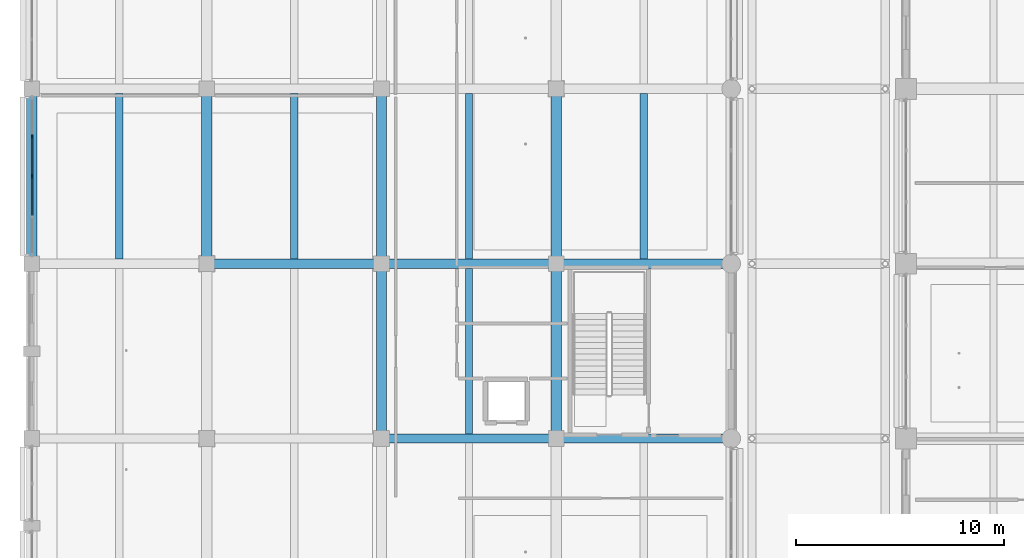
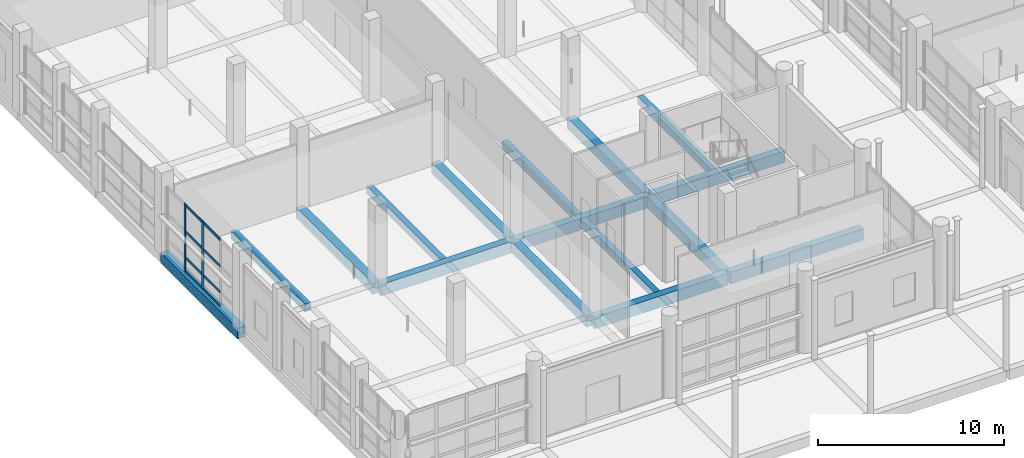
# One storey, part 19 of 140: 16 beams, 10 members, 1 element without a shape of its own.
"""IFC4 building model written with IfcOpenShell, lengths in metres."""

from ifc_helpers import new_model, si_unit, direction, frame, origin, origin_2d, place, context, subcontext, project, spatial, rectangle, extrude, material, layer, layer_set, material_profile, profile_set, type_object, element, aggregate, save


model = new_model("IFC4")

# Units and contexts
model_context = context("Model", 3, precision=1e-05, world=origin(), true_north=direction((0.0, 1.0)))
body_context = subcontext(model_context, "Body", "Model", "MODEL_VIEW")
ifc_project = project(units=[si_unit("LENGTHUNIT", "METRE"), si_unit("AREAUNIT", "SQUARE_METRE"), si_unit("VOLUMEUNIT", "CUBIC_METRE"), si_unit("PLANEANGLEUNIT", "RADIAN"), si_unit("MASSUNIT", "GRAM", prefix="KILO")], contexts=[model_context])

# Site, building, storey
site_placement = place(None, origin())
site = spatial("IfcSite", under=ifc_project, at=site_placement, CompositionType="ELEMENT")
building_placement = place(site_placement, origin())
building = spatial("IfcBuilding", under=site, at=building_placement, Name="Telukmera Botanical Conservatory", CompositionType="ELEMENT")
storey_placement = place(building_placement, origin())
storey = spatial("IfcBuildingStorey", under=building, at=storey_placement, Name="L00", CompositionType="ELEMENT", Elevation=0.0)

# Beams
ifc_material_1 = material(Name="Concrete C40/50", Category="concrete")
ifc_material_profile_1 = material_profile(ifc_material_1, rectangle(XDim=0.5, YDim=0.699951171875, at=origin_2d()), Name="RC 500x700")
ifc_profile_set_1 = profile_set([ifc_material_profile_1], Name="Concrete C40/50")
beam_type_1 = type_object("IfcBeamType", Name="Beam_B14", PredefinedType="BEAM", material=ifc_profile_set_1)
for number, where, z_axis, x_axis, name in (
    (1, (8.39990234375, 34.47998046875, -0.35009765625), (0.0, 1.0, 0.0), (-1.0, 0.0, 0.0), "Visitor Wing Transverse Beam L00"),
    (2, (16.800048828125, 34.47998046875, -0.35009765625), (0.0, 1.0, 0.0), (-1.0, 0.0, 0.0), "Visitor Wing Transverse Beam L00"),
    (3, (25.199951171875, 26.080078125, -0.35009765625), (0.0, 1.0, 0.0), (-1.0, 0.0, 0.0), "Visitor Wing Transverse Beam L00"),
    (4, (25.199951171875, 34.47998046875, -0.35009765625), (0.0, 1.0, 0.0), (-1.0, 0.0, 0.0), "Visitor Wing Transverse Beam L00"),
    (5, (33.60009765625, 26.080078125, -0.35009765625), (0.0, 1.0, 0.0), (-1.0, 0.0, 0.0), "Visitor Wing Transverse Beam L00"),
    (6, (33.60009765625, 34.47998046875, -0.35009765625), (0.0, 1.0, 0.0), (-1.0, 0.0, 0.0), "Visitor Wing Transverse Beam L00"),
):
    element("IfcBeam", number, at=place(storey_placement, frame(where, z_axis=z_axis, x_axis=x_axis)), inside=storey, type_object=beam_type_1, Name=name, PredefinedType="BEAM", context=body_context, shape_type="SweptSolid", body=[
        extrude(rectangle(XDim=0.5, YDim=0.699951171875, at=origin_2d()), origin(), (0.0, 0.0, 1.0), 8.239990234375),
    ])
ifc_material_profile_2 = material_profile(ifc_material_1, rectangle(XDim=0.35009765625, YDim=0.5, at=origin_2d()), Name="RC 350x500")
ifc_profile_set_2 = profile_set([ifc_material_profile_2], Name="Concrete C40/50")
beam_type_2 = type_object("IfcBeamType", Name="Beam_B22", PredefinedType="JOIST", material=ifc_profile_set_2)
for number, where, z_axis, x_axis, name in (
    (7, (12.60009765625, 34.625, -0.25), (0.0, 1.0, 0.0), (-1.0, 0.0, 0.0), "Visitor Wing Floor Joist L00"),
    (8, (21.0, 34.625, -0.25), (0.0, 1.0, 0.0), (-1.0, 0.0, 0.0), "Visitor Wing Floor Joist L00"),
    (9, (29.39990234375, 26.22509765625, -0.25), (0.0, 1.0, 0.0), (-1.0, 0.0, 0.0), "Visitor Wing Floor Joist L00"),
    (10, (29.39990234375, 34.625, -0.25), (0.0, 1.0, 0.0), (-1.0, 0.0, 0.0), "Visitor Wing Floor Joist L00"),
    (11, (37.800048828125, 34.625, -0.25), (0.0, 1.0, 0.0), (-1.0, 0.0, 0.0), "Visitor Wing Floor Joist L00"),
):
    element("IfcBeam", number, at=place(storey_placement, frame(where, z_axis=z_axis, x_axis=x_axis)), inside=storey, type_object=beam_type_2, Name=name, PredefinedType="JOIST", context=body_context, shape_type="SweptSolid", body=[
        extrude(rectangle(XDim=0.35009765625, YDim=0.5, at=origin_2d()), origin(), (0.0, 0.0, 1.0), 7.949951171875),
    ])
ifc_material_profile_3 = material_profile(ifc_material_1, rectangle(XDim=0.449951171875, YDim=0.75, at=origin_2d()), Name="RC 450x750")
ifc_profile_set_3 = profile_set([ifc_material_profile_3], Name="Concrete C40/50")
beam_type_3 = type_object("IfcBeamType", Name="Beam_B6", PredefinedType="BEAM", material=ifc_profile_set_3)
for number, where, z_axis, x_axis, name in (
    (12, (25.280029296875, 26.0, -0.375), (1.0, 0.0, 0.0), (0.0, 1.0, 0.0), "Visitor Wing Grid Beam L00"),
    (13, (33.679931640625, 26.0, -0.375), (1.0, 0.0, 0.0), (0.0, 1.0, 0.0), "Visitor Wing Grid Beam L00"),
):
    element("IfcBeam", number, at=place(storey_placement, frame(where, z_axis=z_axis, x_axis=x_axis)), inside=storey, type_object=beam_type_3, Name=name, PredefinedType="BEAM", context=body_context, shape_type="SweptSolid", body=[
        extrude(rectangle(XDim=0.449951171875, YDim=0.75, at=origin_2d()), origin(), (0.0, 0.0, 1.0), 8.239990234375),
    ])
beam_placement = place(storey_placement, frame((16.8798828125, 34.39990234375, -0.375), z_axis=(1.0, 0.0, 0.0), x_axis=(0.0, 1.0, 0.0)))
element("IfcBeam", 14, at=beam_placement, inside=storey, type_object=beam_type_3, Name="Visitor Wing Grid Beam L00", PredefinedType="BEAM", context=body_context, shape_type="SweptSolid", body=[
    extrude(rectangle(XDim=0.449951171875, YDim=0.75, at=origin_2d()), origin(), (0.0, 0.0, 1.0), 8.240234375),
])
for number, where, z_axis, x_axis, name in (
    (15, (25.280029296875, 34.39990234375, -0.375), (1.0, 0.0, 0.0), (0.0, 1.0, 0.0), "Visitor Wing Grid Beam L00"),
    (16, (33.679931640625, 34.39990234375, -0.375), (1.0, 0.0, 0.0), (0.0, 1.0, 0.0), "Visitor Wing Grid Beam L00"),
):
    element("IfcBeam", number, at=place(storey_placement, frame(where, z_axis=z_axis, x_axis=x_axis)), inside=storey, type_object=beam_type_3, Name=name, PredefinedType="BEAM", context=body_context, shape_type="SweptSolid", body=[
        extrude(rectangle(XDim=0.449951171875, YDim=0.75, at=origin_2d()), origin(), (0.0, 0.0, 1.0), 8.239990234375),
    ])

# Curtain wall, members
ifc_material_2 = material(Name="Anodised aluminium 6063-T6", Category="aluminium")
ifc_layer = layer(ifc_material_2, 0.179931640625)
ifc_layer_set = layer_set([ifc_layer], Name="Anodised aluminium 6063-T6")
curtain_wall_type = type_object("IfcCurtainWallType", Name="Visitor Colonnade Ground Curtain Wall 1800 Mod", PredefinedType="USERDEFINED", material=ifc_layer_set)
curtain_wall_placement = place(storey_placement, origin())
curtain_wall = element("IfcCurtainWall", 17, at=curtain_wall_placement, inside=storey, type_object=curtain_wall_type, Name="Unitised Curtain Wall CW06 V3:L00:W3", ObjectType="UNITISED CURTAIN WALL", PredefinedType="USERDEFINED")
ifc_material_profile_4 = material_profile(ifc_material_2, rectangle(XDim=0.070068359375, YDim=0.179931640625, at=origin_2d()), Name="ALU MULL 70x180")
ifc_profile_set_4 = profile_set([ifc_material_profile_4], Name="Anodised aluminium 6063-T6")
member_type_1 = type_object("IfcMemberType", Name="Curtain Wall Extruded Mullion 70x180", PredefinedType="MULLION", material=ifc_profile_set_4)
member_1_placement = place(storey_placement, frame((8.39990234375, 38.60009765625, 0.0), z_axis=(0.0, 0.0, 1.0), x_axis=(-1.0, 0.0, 0.0)))
member_1 = element("IfcMember", 18, at=member_1_placement, type_object=member_type_1, Name="CW06 mullion 3", PredefinedType="MULLION", context=body_context, shape_type="SweptSolid", body=[
    extrude(rectangle(XDim=0.070068359375, YDim=0.179931640625, at=origin_2d()), origin(), (0.0, 0.0, 1.0), 4.449951171875),
])
member_2_placement = place(storey_placement, frame((8.39990234375, 40.511474609375, 0.0), z_axis=(0.0, 0.0, 1.0), x_axis=(-1.0, 0.0, 0.0)))
member_2 = element("IfcMember", 19, at=member_2_placement, type_object=member_type_1, Name="CW06 mullion 4", PredefinedType="MULLION", context=body_context, shape_type="SweptSolid", body=[
    extrude(rectangle(XDim=0.070068359375, YDim=0.179931640625, at=origin_2d()), origin(), (0.0, 0.0, 1.0), 4.449951171875),
])
ifc_material_profile_5 = material_profile(ifc_material_2, rectangle(XDim=0.070068359375, YDim=0.14990234375, at=origin_2d()), Name="ALU TRAN 70x150")
ifc_profile_set_5 = profile_set([ifc_material_profile_5], Name="Anodised aluminium 6063-T6")
member_type_2 = type_object("IfcMemberType", Name="Curtain Wall Extruded Transom 70x150", PredefinedType="USERDEFINED", material=ifc_profile_set_5)
member_3_placement = place(storey_placement, frame((8.39990234375, 36.723388671875, 0.074951171875), z_axis=(0.0, 1.0, 0.0), x_axis=(-1.0, 0.0, 0.0)))
member_3 = element("IfcMember", 20, at=member_3_placement, type_object=member_type_2, Name="CW06 transom 2.1", ObjectType="TRANSOM", PredefinedType="USERDEFINED", context=body_context, shape_type="SweptSolid", body=[
    extrude(rectangle(XDim=0.070068359375, YDim=0.14990234375, at=origin_2d()), origin(), (0.0, 0.0, 1.0), 1.841552734375),
])
member_4_placement = place(storey_placement, frame((8.39990234375, 36.723388671875, 0.949951171875), z_axis=(0.0, 1.0, 0.0), x_axis=(-1.0, 0.0, 0.0)))
member_4 = element("IfcMember", 21, at=member_4_placement, type_object=member_type_2, Name="CW06 transom 2.2", ObjectType="TRANSOM", PredefinedType="USERDEFINED", context=body_context, shape_type="SweptSolid", body=[
    extrude(rectangle(XDim=0.070068359375, YDim=0.14990234375, at=origin_2d()), origin(), (0.0, 0.0, 1.0), 1.841552734375),
])
member_5_placement = place(storey_placement, frame((8.39990234375, 36.723388671875, 2.64990234375), z_axis=(0.0, 1.0, 0.0), x_axis=(-1.0, 0.0, 0.0)))
member_5 = element("IfcMember", 22, at=member_5_placement, type_object=member_type_2, Name="CW06 transom 2.3", ObjectType="TRANSOM", PredefinedType="USERDEFINED", context=body_context, shape_type="SweptSolid", body=[
    extrude(rectangle(XDim=0.070068359375, YDim=0.14990234375, at=origin_2d()), origin(), (0.0, 0.0, 1.0), 1.841552734375),
])
member_6_placement = place(storey_placement, frame((8.39990234375, 36.723388671875, 4.375), z_axis=(0.0, 1.0, 0.0), x_axis=(-1.0, 0.0, 0.0)))
member_6 = element("IfcMember", 23, at=member_6_placement, type_object=member_type_2, Name="CW06 transom 2.4", ObjectType="TRANSOM", PredefinedType="USERDEFINED", context=body_context, shape_type="SweptSolid", body=[
    extrude(rectangle(XDim=0.070068359375, YDim=0.14990234375, at=origin_2d()), origin(), (0.0, 0.0, 1.0), 1.841552734375),
])
member_7_placement = place(storey_placement, frame((8.39990234375, 38.635009765625, 0.074951171875), z_axis=(0.0, 1.0, 0.0), x_axis=(-1.0, 0.0, 0.0)))
member_7 = element("IfcMember", 24, at=member_7_placement, type_object=member_type_2, Name="CW06 transom 3.1", ObjectType="TRANSOM", PredefinedType="USERDEFINED", context=body_context, shape_type="SweptSolid", body=[
    extrude(rectangle(XDim=0.070068359375, YDim=0.14990234375, at=origin_2d()), origin(), (0.0, 0.0, 1.0), 1.841552734375),
])
member_8_placement = place(storey_placement, frame((8.39990234375, 38.635009765625, 0.949951171875), z_axis=(0.0, 1.0, 0.0), x_axis=(-1.0, 0.0, 0.0)))
member_8 = element("IfcMember", 25, at=member_8_placement, type_object=member_type_2, Name="CW06 transom 3.2", ObjectType="TRANSOM", PredefinedType="USERDEFINED", context=body_context, shape_type="SweptSolid", body=[
    extrude(rectangle(XDim=0.070068359375, YDim=0.14990234375, at=origin_2d()), origin(), (0.0, 0.0, 1.0), 1.841552734375),
])
member_9_placement = place(storey_placement, frame((8.39990234375, 38.635009765625, 2.64990234375), z_axis=(0.0, 1.0, 0.0), x_axis=(-1.0, 0.0, 0.0)))
member_9 = element("IfcMember", 26, at=member_9_placement, type_object=member_type_2, Name="CW06 transom 3.3", ObjectType="TRANSOM", PredefinedType="USERDEFINED", context=body_context, shape_type="SweptSolid", body=[
    extrude(rectangle(XDim=0.070068359375, YDim=0.14990234375, at=origin_2d()), origin(), (0.0, 0.0, 1.0), 1.841552734375),
])
member_10_placement = place(storey_placement, frame((8.39990234375, 38.635009765625, 4.375), z_axis=(0.0, 1.0, 0.0), x_axis=(-1.0, 0.0, 0.0)))
member_10 = element("IfcMember", 27, at=member_10_placement, type_object=member_type_2, Name="CW06 transom 3.4", ObjectType="TRANSOM", PredefinedType="USERDEFINED", context=body_context, shape_type="SweptSolid", body=[
    extrude(rectangle(XDim=0.070068359375, YDim=0.14990234375, at=origin_2d()), origin(), (0.0, 0.0, 1.0), 1.841552734375),
])
aggregate(curtain_wall, [member_1, member_2, member_3, member_4, member_5, member_6, member_7, member_8, member_9, member_10])

save(model, "model.ifc")
